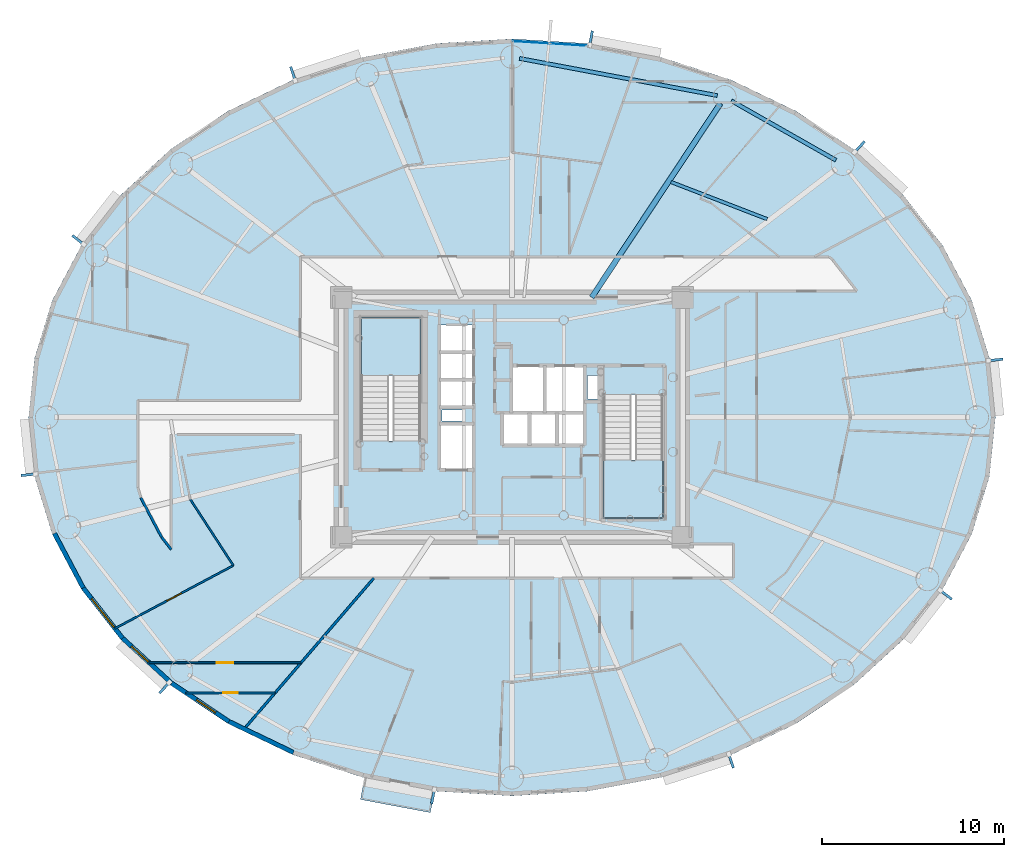
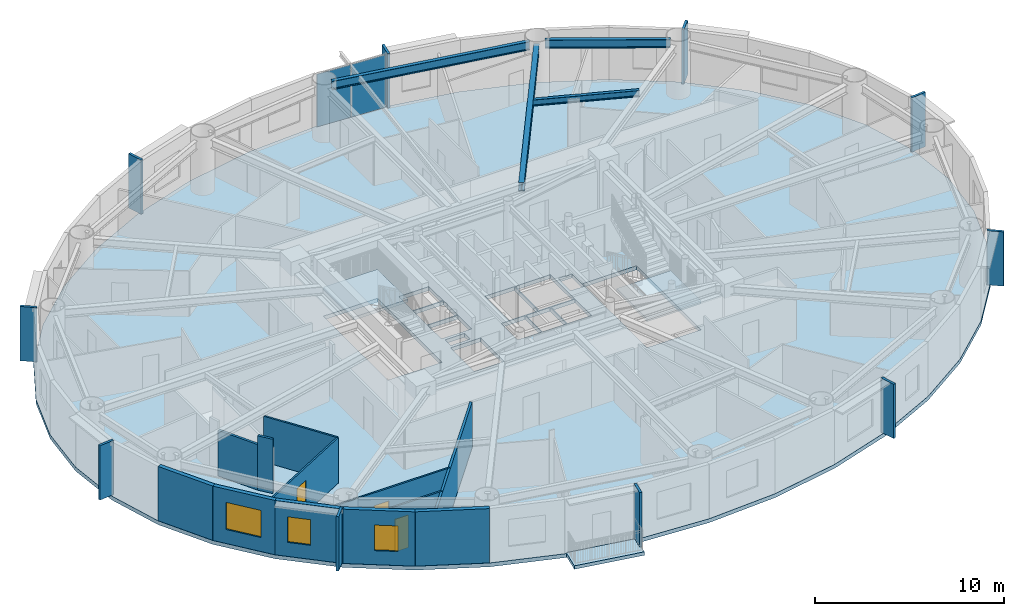
# One storey, part 5 of 17: 12 plates, 12 walls, 4 beams, 4 slabs, 3 doors, 3 windows, 6 openings, 3 elements without a shape of their own.
"""IFC4 building model written with IfcOpenShell, lengths in metres."""

from ifc_helpers import new_model, si_unit, direction, frame, frame_2d, origin, origin_2d, place, context, subcontext, project, spatial, polyline, rectangle, i_section, outline, extrude, source, transform, mapped, material, layer, layer_set, material_profile, profile_set, type_object, element, fill, aggregate, save


model = new_model("IFC4")

# Units and contexts
model_context = context("Model", 3, precision=1e-05, world=origin(), true_north=direction((0.0, 1.0)))
body_context = subcontext(model_context, "Body", "Model", "MODEL_VIEW")
ifc_project = project(units=[si_unit("LENGTHUNIT", "METRE"), si_unit("AREAUNIT", "SQUARE_METRE"), si_unit("VOLUMEUNIT", "CUBIC_METRE"), si_unit("PLANEANGLEUNIT", "RADIAN"), si_unit("MASSUNIT", "GRAM", prefix="KILO")], contexts=[model_context])

# Site, building, storey
site_placement = place(None, origin())
site = spatial("IfcSite", under=ifc_project, at=site_placement, CompositionType="ELEMENT")
building_placement = place(site_placement, origin())
building = spatial("IfcBuilding", under=site, at=building_placement, Name="Linh Dai School and Residence Tower", CompositionType="ELEMENT")
storey_placement = place(building_placement, frame((0.0, 0.0, 182.39990234375)))
storey = spatial("IfcBuildingStorey", under=building, at=storey_placement, Name="L44", CompositionType="ELEMENT", Elevation=182.39990234375)

# Beams
ifc_material_1 = material(Name="Structural Steel S355JR", Category="steel")
ifc_material_profile_1 = material_profile(ifc_material_1, i_section(OverallWidth=0.2099609375, OverallDepth=0.550048828125, WebThickness=0.010986328125, FlangeThickness=0.01708984375, FilletRadius=0.02392578125, at=origin_2d()), Name="IPE 550")
ifc_profile_set_1 = profile_set([ifc_material_profile_1], Name="Structural Steel S355JR")
beam_type_1 = type_object("IfcBeamType", Name="BM-RB55", PredefinedType="BEAM", material=ifc_profile_set_1)
beam_1_placement = place(storey_placement, frame((53.827392578125, 41.1494140625, 3.22509765625), z_axis=(-0.869262164011, 0.49435138335, 0.0), x_axis=(-0.49435138335, -0.869262164011, 0.0)))
element("IfcBeam", 1, at=beam_1_placement, inside=storey, type_object=beam_type_1, Name="L44 Perimeter Elliptical Ring Beam 03", PredefinedType="BEAM", context=body_context, shape_type="SweptSolid", body=[
    extrude(i_section(OverallWidth=0.2099609375, OverallDepth=0.550048828125, WebThickness=0.010986328125, FlangeThickness=0.01708984375, FilletRadius=0.02392578125, at=origin_2d()), origin(), (0.0, 0.0, 1.0), 6.62255859375),
])
beam_2_placement = place(storey_placement, frame((47.292724609375, 44.70849609375, 3.22509765625), z_axis=(-0.98280721278, 0.184634727255, 0.0), x_axis=(-0.184634727255, -0.98280721278, 0.0)))
element("IfcBeam", 2, at=beam_2_placement, inside=storey, type_object=beam_type_1, Name="L44 Perimeter Elliptical Ring Beam 04", PredefinedType="BEAM", context=body_context, shape_type="SweptSolid", body=[
    extrude(i_section(OverallWidth=0.2099609375, OverallDepth=0.550048828125, WebThickness=0.010986328125, FlangeThickness=0.01708984375, FilletRadius=0.02392578125, at=origin_2d()), origin(), (0.0, 0.0, 1.0), 11.0703125),
])
ifc_material_profile_2 = material_profile(ifc_material_1, i_section(OverallWidth=0.300048828125, OverallDepth=0.550048828125, WebThickness=0.014892578125, FlangeThickness=0.029052734375, FilletRadius=0.027099609375, at=origin_2d()), Name="HEB 550")
ifc_profile_set_2 = profile_set([ifc_material_profile_2], Name="Structural Steel S355JR")
beam_type_2 = type_object("IfcBeamType", Name="BM-RG55", PredefinedType="BEAM", material=ifc_profile_set_2)
beam_3_placement = place(storey_placement, frame((40.3818359375, 33.60009765625, 3.22509765625), z_axis=(0.553117176317, 0.833103468522, 0.0), x_axis=(-0.833103468522, 0.553117176317, 0.0)))
element("IfcBeam", 3, at=beam_3_placement, inside=storey, type_object=beam_type_2, Name="L44 Primary Radial Floor Girder 04", PredefinedType="BEAM", context=body_context, shape_type="SweptSolid", body=[
    extrude(i_section(OverallWidth=0.300048828125, OverallDepth=0.550048828125, WebThickness=0.014892578125, FlangeThickness=0.029052734375, FilletRadius=0.027099609375, at=origin_2d()), origin(), (0.0, 0.0, 1.0), 12.820556640625),
])
ifc_material_profile_3 = material_profile(ifc_material_1, i_section(OverallWidth=0.179931640625, OverallDepth=0.39990234375, WebThickness=0.008544921875, FlangeThickness=0.013427734375, FilletRadius=0.02099609375, at=origin_2d()), Name="IPE 400")
ifc_profile_set_3 = profile_set([ifc_material_profile_3], Name="Structural Steel S355JR")
beam_type_3 = type_object("IfcBeamType", Name="BM-SB40", PredefinedType="BEAM", material=ifc_profile_set_3)
beam_4_placement = place(storey_placement, frame((50.047607421875, 37.905029296875, 3.300048828125), z_axis=(-0.932814887644, 0.360355914881, 0.0), x_axis=(-0.360355914881, -0.932814887644, 0.0)))
element("IfcBeam", 4, at=beam_4_placement, inside=storey, type_object=beam_type_3, Name="L44 Secondary Circumferential Floor Beam 02", PredefinedType="BEAM", context=body_context, shape_type="SweptSolid", body=[
    extrude(i_section(OverallWidth=0.179931640625, OverallDepth=0.39990234375, WebThickness=0.008544921875, FlangeThickness=0.013427734375, FilletRadius=0.02099609375, at=origin_2d()), origin(), (0.0, 0.0, 1.0), 5.67822265625),
])

# Slabs
ifc_material_2 = material(Name="Concrete B45 (C35/45)", Category="concrete")
ifc_layer_1 = layer(ifc_material_2, 0.219970703125)
ifc_layer_set_1 = layer_set([ifc_layer_1], Name="Concrete B45 (C35/45)")
slab_type_1 = type_object("IfcSlabType", Name="SLB-BALC-220", PredefinedType="FLOOR", material=ifc_layer_set_1)
slab_1_placement = place(storey_placement, frame((0.0, 0.0, -0.219970703125)))
element("IfcSlab", 5, at=slab_1_placement, inside=storey, type_object=slab_type_1, Name="L44 Sliding Balcony Slab 29", PredefinedType="FLOOR", context=body_context, shape_type="SweptSolid", body=[
    extrude(outline(polyline([(31.74755859375, 6.524658203125), (27.90087890625, 7.248046875), (27.66064453125, 5.97021484375), (31.507568359375, 5.2470703125), (31.74755859375, 6.524658203125)])), origin(), (0.0, 0.0, 1.0), 0.219970703125),
])
ifc_layer_2 = layer(ifc_material_2, 0.25)
ifc_layer_set_2 = layer_set([ifc_layer_2], Name="Concrete B45 (C35/45)")
slab_type_2 = type_object("IfcSlabType", Name="SLB-FLR250", PredefinedType="FLOOR", material=ifc_layer_set_2)
slab_2_placement = place(storey_placement, frame((0.0, 0.0, -0.25)))
element("IfcSlab", 6, at=slab_2_placement, inside=storey, type_object=slab_type_2, Name="L44 Composite Structural Floor Slab", PredefinedType="FLOOR", context=body_context, shape_type="SweptSolid", body=[
    extrude(outline(polyline([(62.60009765625, 27.0), (62.2724609375, 30.258544921875), (61.298095703125, 33.436767578125), (59.70068359375, 36.45654296875), (57.519775390625, 39.24365234375), (54.80908203125, 41.72900390625), (51.635009765625, 43.851806640625), (48.076171875, 45.5595703125), (44.219970703125, 46.810546875), (40.1611328125, 47.573486328125), (36.0, 47.830078125), (31.8388671875, 47.573486328125), (27.780029296875, 46.810546875), (23.923828125, 45.5595703125), (20.364990234375, 43.851806640625), (17.19091796875, 41.72900390625), (14.480224609375, 39.24365234375), (12.29931640625, 36.45654296875), (10.701904296875, 33.436767578125), (9.7275390625, 30.258544921875), (9.39990234375, 27.0), (9.7275390625, 23.741455078125), (10.701904296875, 20.563232421875), (12.29931640625, 17.54345703125), (14.480224609375, 14.75634765625), (17.19091796875, 12.27099609375), (20.364990234375, 10.148193359375), (23.923828125, 8.4404296875), (27.780029296875, 7.189453125), (31.8388671875, 6.426513671875), (36.0, 6.169921875), (40.1611328125, 6.426513671875), (44.219970703125, 7.189453125), (48.076171875, 8.4404296875), (51.635009765625, 10.148193359375), (54.80908203125, 12.27099609375), (57.519775390625, 14.75634765625), (59.70068359375, 17.54345703125), (61.298095703125, 20.563232421875), (62.2724609375, 23.741455078125), (62.60009765625, 27.0)]), holes=[polyline([(30.97998046875, 25.699951171875), (30.97998046875, 32.5), (27.679931640625, 32.5), (27.679931640625, 25.699951171875), (30.97998046875, 25.699951171875)]), polyline([(41.02001953125, 28.25), (41.02001953125, 21.449951171875), (44.320068359375, 21.449951171875), (44.320068359375, 28.25), (41.02001953125, 28.25)]), polyline([(35.97998046875, 27.280029296875), (37.77001953125, 27.280029296875), (37.77001953125, 29.820068359375), (35.97998046875, 29.820068359375), (35.97998046875, 27.280029296875)]), polyline([(32.030029296875, 24.1298828125), (33.8701171875, 24.1298828125), (33.8701171875, 26.6201171875), (32.030029296875, 26.6201171875), (32.030029296875, 24.1298828125)]), polyline([(37.830078125, 27.280029296875), (39.969970703125, 27.280029296875), (39.969970703125, 29.820068359375), (37.830078125, 29.820068359375), (37.830078125, 27.280029296875)]), polyline([(32.030029296875, 27.580078125), (33.8701171875, 27.580078125), (33.8701171875, 29.030029296875), (32.030029296875, 29.030029296875), (32.030029296875, 27.580078125)]), polyline([(32.030029296875, 29.090087890625), (33.8701171875, 29.090087890625), (33.8701171875, 30.550048828125), (32.030029296875, 30.550048828125), (32.030029296875, 29.090087890625)]), polyline([(32.030029296875, 30.610107421875), (33.8701171875, 30.610107421875), (33.8701171875, 32.070068359375), (32.030029296875, 32.070068359375), (32.030029296875, 30.610107421875)]), polyline([(35.47998046875, 25.47998046875), (36.929931640625, 25.47998046875), (36.929931640625, 27.219970703125), (35.47998046875, 27.219970703125), (35.47998046875, 25.47998046875)]), polyline([(36.989990234375, 25.47998046875), (38.449951171875, 25.47998046875), (38.449951171875, 27.219970703125), (36.989990234375, 27.219970703125), (36.989990234375, 25.47998046875)]), polyline([(38.510009765625, 25.47998046875), (39.969970703125, 25.47998046875), (39.969970703125, 27.219970703125), (38.510009765625, 27.219970703125), (38.510009765625, 25.47998046875)]), polyline([(40.14990234375, 28.0), (40.14990234375, 29.300048828125), (41.0, 29.300048828125), (41.0, 28.280029296875), (40.989990234375, 28.280029296875), (40.989990234375, 28.0), (40.14990234375, 28.0)]), polyline([(32.14990234375, 26.800048828125), (33.35009765625, 26.800048828125), (33.35009765625, 27.39990234375), (32.14990234375, 27.39990234375), (32.14990234375, 26.800048828125)])]), origin(), (0.0, 0.0, 1.0), 0.25),
])

# Stair, slab
stair_type = type_object("IfcStairType", Name="ST-DOG-1550-R1442", PredefinedType="HALF_TURN_STAIR", material=ifc_material_2)
stair_1_placement = place(storey_placement, origin())
stair_1 = element("IfcStair", 7, at=stair_1_placement, inside=storey, type_object=stair_type, Name="L44 Core Smokeproof Exit Stair ST1", PredefinedType="HALF_TURN_STAIR")
ifc_layer_3 = layer(ifc_material_2, 0.199951171875)
ifc_layer_set_3 = layer_set([ifc_layer_3], Name="Concrete B45 (C35/45)")
slab_type_3 = type_object("IfcSlabType", Name="SLB-ST-LANDING-200", PredefinedType="LANDING", material=ifc_layer_set_3)
slab_3_placement = place(storey_placement, frame((0.0, 0.0, 1.675048828125)))
slab_3 = element("IfcSlab", 8, at=slab_3_placement, type_object=slab_type_3, Name="ST1 landing 1", PredefinedType="LANDING", context=body_context, shape_type="SweptSolid", body=[
    extrude(outline(polyline([(30.97998046875, 29.300048828125), (30.97998046875, 32.5), (27.679931640625, 32.5), (27.679931640625, 29.300048828125), (30.97998046875, 29.300048828125)])), origin(), (0.0, 0.0, 1.0), 0.199951171875),
])
aggregate(stair_1, [slab_3])

stair_2_placement = place(storey_placement, origin())
stair_2 = element("IfcStair", 9, at=stair_2_placement, inside=storey, type_object=stair_type, Name="L44 Core Smokeproof Exit Stair ST2", PredefinedType="HALF_TURN_STAIR")
slab_4_placement = place(storey_placement, frame((0.0, 0.0, 1.675048828125)))
slab_4 = element("IfcSlab", 10, at=slab_4_placement, type_object=slab_type_3, Name="ST2 landing 1", PredefinedType="LANDING", context=body_context, shape_type="SweptSolid", body=[
    extrude(outline(polyline([(41.02001953125, 24.64990234375), (41.02001953125, 21.449951171875), (44.320068359375, 21.449951171875), (44.320068359375, 24.64990234375), (41.02001953125, 24.64990234375)])), origin(), (0.0, 0.0, 1.0), 0.199951171875),
])
aggregate(stair_2, [slab_4])

# Plates
ifc_material_3 = material(Name="Precast Concrete B45 (C35/45)", Category="concrete")
ifc_layer_4 = layer(ifc_material_3, 0.139892578125)
ifc_layer_set_4 = layer_set([ifc_layer_4], Name="Precast Concrete B45 (C35/45)")
plate_type_1 = type_object("IfcPlateType", Name="FIN-TC-900x140", PredefinedType="USERDEFINED", material=ifc_layer_set_4)
shared_shape_1 = source(origin(), body_context, "Body", "SweptSolid", [
    extrude(rectangle(XDim=0.89990234375, YDim=0.139892578125, at=origin_2d()), origin(), (0.0, 0.0, 1.0), 3.5),
])
for number, where, z_axis, x_axis, name in (
    (11, (62.56982421875, 30.1552734375, 0.0), (0.0, 0.0, 1.0), (0.994987256586, 0.100001796141, 0.0), "L44 Precast Terracotta Radial Fin 01"),
    (12, (55.097412109375, 41.851806640625, 0.0), (0.0, 0.0, 1.0), (0.67580001435, 0.737085029426, 0.0), "L44 Precast Terracotta Radial Fin 05"),
    (13, (40.33935546875, 47.830322265625, 0.0), (0.0, 0.0, 1.0), (0.184762540184, 0.982783192645, 0.0), "L44 Precast Terracotta Radial Fin 09"),
    (14, (23.957763671875, 45.87060546875, 0.0), (0.0, 0.0, 1.0), (-0.308535707031, 0.951212761419, 0.0), "L44 Precast Terracotta Radial Fin 13"),
    (15, (12.155029296875, 36.735595703125, 0.0), (0.0, 0.0, 1.0), (-0.787522158319, 0.616286337798, 0.0), "L44 Precast Terracotta Radial Fin 17"),
    (16, (9.43017578125, 23.8447265625, 0.0), (0.0, 0.0, 1.0), (-0.994987256586, -0.100001796141, 0.0), "L44 Precast Terracotta Radial Fin 21"),
    (17, (16.902587890625, 12.148193359375, 0.0), (0.0, 0.0, 1.0), (-0.67580001435, -0.737085029426, 0.0), "L44 Precast Terracotta Radial Fin 25"),
    (18, (31.66064453125, 6.169677734375, 0.0), (0.0, 0.0, 1.0), (-0.184762540184, -0.982783192645, 0.0), "L44 Precast Terracotta Radial Fin 29"),
    (19, (48.042236328125, 8.12939453125, 0.0), (0.0, 0.0, 1.0), (0.308535707031, -0.951212761419, 0.0), "L44 Precast Terracotta Radial Fin 33"),
    (20, (59.844970703125, 17.264404296875, 0.0), (0.0, 0.0, 1.0), (0.787522158319, -0.616286337798, 0.0), "L44 Precast Terracotta Radial Fin 37"),
):
    element("IfcPlate", number, at=place(storey_placement, frame(where, z_axis=z_axis, x_axis=x_axis)), inside=storey, type_object=plate_type_1, Name=name, ObjectType="RADIAL FIN", PredefinedType="USERDEFINED", context=body_context, shape_type="MappedRepresentation", body=[
        mapped(shared_shape_1, transform((0.0, 0.0, 0.0), x_axis=(1.0, 0.0, 0.0), y_axis=(0.0, 1.0, 0.0), z_axis=(0.0, 0.0, 1.0), scale=1.0)),
    ])

# Curtain wall, plates
ifc_material_4 = material(Name="Aluminium Anodised Curtain Wall", Category="aluminium")
ifc_layer_5 = layer(ifc_material_4, 0.14990234375)
ifc_layer_set_5 = layer_set([ifc_layer_5], Name="Aluminium Anodised Curtain Wall")
curtain_wall_type = type_object("IfcCurtainWallType", Name="CW-SYS-4", PredefinedType="USERDEFINED", material=ifc_layer_set_5)
curtain_wall_placement = place(storey_placement, origin())
curtain_wall = element("IfcCurtainWall", 21, at=curtain_wall_placement, inside=storey, type_object=curtain_wall_type, Name="L44 CW4 Curtain Wall 10", ObjectType="RIBBON CURTAIN WALL", PredefinedType="USERDEFINED")
ifc_material_5 = material(Name="Double Low-E Insulated Glazing", Category="glass")
ifc_layer_6 = layer(ifc_material_5, 0.02587890625)
ifc_layer_set_6 = layer_set([ifc_layer_6], Name="Double Low-E Insulated Glazing")
plate_type_2 = type_object("IfcPlateType", Name="CW-SYS-4-PAN", PredefinedType="CURTAIN_PANEL", material=ifc_layer_set_6)
shared_shape_2 = source(origin(), body_context, "Body", "SweptSolid", [
    extrude(rectangle(XDim=1.998779296875, YDim=0.02587890625, at=origin_2d()), origin(), (0.0, 0.0, 1.0), 3.39599609375),
])
plate_1_placement = place(storey_placement, frame((37.04931640625, 47.640380859375, 0.052001953125), z_axis=(0.0, 0.0, 1.0), x_axis=(0.99810632076, -0.061512376467, 0.0)))
plate_1 = element("IfcPlate", 22, at=plate_1_placement, type_object=plate_type_2, Name="CW4 panel 1.1", PredefinedType="CURTAIN_PANEL", context=body_context, shape_type="MappedRepresentation", body=[
    mapped(shared_shape_2, transform((0.0, 0.0, 0.0), x_axis=(1.0, 0.0, 0.0), y_axis=(0.0, 1.0, 0.0), z_axis=(0.0, 0.0, 1.0), scale=1.0)),
])
plate_2_placement = place(storey_placement, frame((39.096435546875, 47.51416015625, 0.052001953125), z_axis=(0.0, 0.0, 1.0), x_axis=(0.99810632076, -0.061512376467, 0.0)))
plate_2 = element("IfcPlate", 23, at=plate_2_placement, type_object=plate_type_2, Name="CW4 panel 2.1", PredefinedType="CURTAIN_PANEL", context=body_context, shape_type="MappedRepresentation", body=[
    mapped(shared_shape_2, transform((0.0, 0.0, 0.0), x_axis=(1.0, 0.0, 0.0), y_axis=(0.0, 1.0, 0.0), z_axis=(0.0, 0.0, 1.0), scale=1.0)),
])
aggregate(curtain_wall, [plate_1, plate_2])

# Wall
ifc_layer_7 = layer(ifc_material_3, 0.239990234375)
ifc_layer_set_7 = layer_set([ifc_layer_7], Name="Precast Concrete B45 (C35/45)")
wall_type_1 = type_object("IfcWallType", Name="EW-TC-240", PredefinedType="SOLIDWALL", material=ifc_layer_set_7)
wall_1_placement = place(storey_placement, frame((12.404052734375, 17.611572265625, 0.0), z_axis=(0.0, 0.0, 1.0), x_axis=(-0.467586874938, 0.88394712194, 0.0)))
element("IfcWall", 24, at=wall_1_placement, inside=storey, type_object=wall_type_1, Name="L44 Terracotta Exterior Wall 23", PredefinedType="SOLIDWALL", context=body_context, shape_type="SweptSolid", body=[
    extrude(rectangle(XDim=3.393310546875, YDim=0.239990234375, at=frame_2d((1.69677734375, 0.0))), origin(), (0.0, 0.0, 1.0), 3.5),
])

# Wall, opening, window
wall_2_placement = place(storey_placement, frame((14.57177734375, 14.841552734375, 0.0), z_axis=(0.0, 0.0, 1.0), x_axis=(-0.616287674549, 0.787521112224, 0.0)))
wall_2 = element("IfcWall", 25, at=wall_2_placement, inside=storey, type_object=wall_type_1, Name="L44 Terracotta Exterior Wall 24", PredefinedType="SOLIDWALL", context=body_context, shape_type="SweptSolid", body=[
    extrude(rectangle(XDim=3.517333984375, YDim=0.239990234375, at=frame_2d((1.7587890625, 0.0))), origin(), (0.0, 0.0, 1.0), 3.5),
])
opening_1_placement = place(wall_2_placement, frame((0.77880859375, 0.0, 0.89990234375)))
opening_1 = element("IfcOpeningElement", 26, at=opening_1_placement, cuts=wall_2, Name="Opening W1", PredefinedType="OPENING", context=body_context, shape_type="SweptSolid", body=[
    extrude(rectangle(XDim=2.0, YDim=1.75, at=origin_2d()), frame((1.0, 0.1298828125, 0.875), z_axis=(0.0, -1.0, 0.0), x_axis=(1.0, 0.0, 0.0)), (0.0, 0.0, 1.0), 0.260009765625),
])
window_type_1 = type_object("IfcWindowType", Name="WN-RES-2000x1750", PartitioningType="DOUBLE_PANEL_VERTICAL", PredefinedType="WINDOW", material=ifc_material_5)
shared_shape_3 = source(origin(), body_context, "Body", "SweptSolid", [
    extrude(rectangle(XDim=2.0, YDim=1.75, at=origin_2d()), frame((1.0, 0.030029296875, 0.875), z_axis=(0.0, -1.0, 0.0), x_axis=(1.0, 0.0, 0.0)), (0.0, 0.0, 1.0), 0.06005859375),
])
window_1_placement = place(opening_1_placement, origin())
window_1 = element("IfcWindow", 27, at=window_1_placement, inside=storey, type_object=window_type_1, Name="L44 Exterior Window 24.1", OverallHeight=1.75, OverallWidth=2.0, PartitioningType="DOUBLE_PANEL_VERTICAL", PredefinedType="WINDOW", context=body_context, shape_type="MappedRepresentation", body=[
    mapped(shared_shape_3, transform((0.0, 0.0, 0.0), x_axis=(1.0, 0.0, 0.0), y_axis=(0.0, 1.0, 0.0), z_axis=(0.0, 0.0, 1.0), scale=1.0)),
])
fill(opening_1, window_1)

wall_3_placement = place(storey_placement, frame((17.26806640625, 12.369384765625, 0.0), z_axis=(0.0, 0.0, 1.0), x_axis=(-0.737076565834, 0.675809245349, 0.0)))
wall_3 = element("IfcWall", 28, at=wall_3_placement, inside=storey, type_object=wall_type_1, Name="L44 Terracotta Exterior Wall 25", PredefinedType="SOLIDWALL", context=body_context, shape_type="SweptSolid", body=[
    extrude(rectangle(XDim=3.658203125, YDim=0.239990234375, at=frame_2d((1.8291015625, 0.0))), origin(), (0.0, 0.0, 1.0), 3.5),
])
opening_2_placement = place(wall_3_placement, frame((1.74609375, 0.0, 0.89990234375)))
opening_2 = element("IfcOpeningElement", 29, at=opening_2_placement, cuts=wall_3, Name="Opening W3", PredefinedType="OPENING", context=body_context, shape_type="SweptSolid", body=[
    extrude(rectangle(XDim=1.25, YDim=1.64990234375, at=origin_2d()), frame((0.625, 0.1298828125, 0.824951171875), z_axis=(0.0, -1.0, 0.0), x_axis=(1.0, 0.0, 0.0)), (0.0, 0.0, 1.0), 0.260009765625),
])
window_type_2 = type_object("IfcWindowType", Name="WN-RES-1250x1650", PartitioningType="SINGLE_PANEL", PredefinedType="WINDOW", material=ifc_material_5)
shared_shape_4 = source(origin(), body_context, "Body", "SweptSolid", [
    extrude(rectangle(XDim=1.25, YDim=1.64990234375, at=origin_2d()), frame((0.625, 0.030029296875, 0.824951171875), z_axis=(0.0, -1.0, 0.0), x_axis=(1.0, 0.0, 0.0)), (0.0, 0.0, 1.0), 0.06005859375),
])
window_2_placement = place(opening_2_placement, origin())
window_2 = element("IfcWindow", 30, at=window_2_placement, inside=storey, type_object=window_type_2, Name="L44 Dwelling Window U4404-LIV", OverallHeight=1.64990234375, OverallWidth=1.25, PartitioningType="SINGLE_PANEL", PredefinedType="WINDOW", context=body_context, shape_type="MappedRepresentation", body=[
    mapped(shared_shape_4, transform((0.0, 0.0, 0.0), x_axis=(1.0, 0.0, 0.0), y_axis=(0.0, 1.0, 0.0), z_axis=(0.0, 0.0, 1.0), scale=1.0)),
])
fill(opening_2, window_2)

wall_4_placement = place(storey_placement, frame((20.4267578125, 10.2568359375, 0.0), z_axis=(0.0, 0.0, 1.0), x_axis=(-0.831228998277, 0.555930168657, 0.0)))
wall_4 = element("IfcWall", 31, at=wall_4_placement, inside=storey, type_object=wall_type_1, Name="L44 Terracotta Exterior Wall 26", PredefinedType="SOLIDWALL", context=body_context, shape_type="SweptSolid", body=[
    extrude(rectangle(XDim=3.800048828125, YDim=0.239990234375, at=frame_2d((1.89990234375, 0.0))), origin(), (0.0, 0.0, 1.0), 3.5),
])
opening_3_placement = place(wall_4_placement, frame((0.896240234375, 0.0, 0.89990234375)))
opening_3 = element("IfcOpeningElement", 32, at=opening_3_placement, cuts=wall_4, Name="Opening W3", PredefinedType="OPENING", context=body_context, shape_type="SweptSolid", body=[
    extrude(rectangle(XDim=1.25, YDim=1.64990234375, at=origin_2d()), frame((0.625, 0.1298828125, 0.824951171875), z_axis=(0.0, -1.0, 0.0), x_axis=(1.0, 0.0, 0.0)), (0.0, 0.0, 1.0), 0.260009765625),
])
window_3_placement = place(opening_3_placement, origin())
window_3 = element("IfcWindow", 33, at=window_3_placement, inside=storey, type_object=window_type_2, Name="L44 Exterior Window 26.1", OverallHeight=1.64990234375, OverallWidth=1.25, PartitioningType="SINGLE_PANEL", PredefinedType="WINDOW", context=body_context, shape_type="MappedRepresentation", body=[
    mapped(shared_shape_4, transform((0.0, 0.0, 0.0), x_axis=(1.0, 0.0, 0.0), y_axis=(0.0, 1.0, 0.0), z_axis=(0.0, 0.0, 1.0), scale=1.0)),
])
fill(opening_3, window_3)

# Walls
wall_5_placement = place(storey_placement, frame((23.97021484375, 8.556396484375, 0.0), z_axis=(0.0, 0.0, 1.0), x_axis=(-0.901564733809, 0.432644231155, 0.0)))
element("IfcWall", 34, at=wall_5_placement, inside=storey, type_object=wall_type_1, Name="L44 Terracotta Exterior Wall 27", PredefinedType="SOLIDWALL", context=body_context, shape_type="SweptSolid", body=[
    extrude(rectangle(XDim=3.930419921875, YDim=0.239990234375, at=frame_2d((1.96533203125, 0.0))), origin(), (0.0, 0.0, 1.0), 3.5),
])
ifc_material_6 = material(Name="Autoclaved Aerated Concrete Blockwork", Category="masonry")
ifc_layer_8 = layer(ifc_material_6, 0.135009765625)
ifc_layer_set_8 = layer_set([ifc_layer_8], Name="Autoclaved Aerated Concrete Blockwork")
wall_type_2 = type_object("IfcWallType", Name="IW-CORR-135-EI90", PredefinedType="PARTITIONING", material=ifc_layer_set_8)
wall_6_placement = place(storey_placement, frame((15.57421875, 22.577880859375, 0.0), z_axis=(0.0, 0.0, 1.0), x_axis=(0.46757196543, -0.883955008552, 0.0)))
element("IfcWall", 35, at=wall_6_placement, inside=storey, type_object=wall_type_2, Name="L44 Interior Partition Wall 010", PredefinedType="PARTITIONING", context=body_context, shape_type="SweptSolid", body=[
    extrude(rectangle(XDim=2.451416015625, YDim=0.135009765625, at=frame_2d((1.2255859375, 0.0))), origin(), (0.0, 0.0, 1.0), 2.93505859375),
])
wall_7_placement = place(storey_placement, frame((16.720458984375, 20.410888671875, 0.0), z_axis=(0.0, 0.0, 1.0), x_axis=(0.616377221056, -0.787451027914, 0.0)))
element("IfcWall", 36, at=wall_7_placement, inside=storey, type_object=wall_type_2, Name="L44 Interior Partition Wall 012", PredefinedType="PARTITIONING", context=body_context, shape_type="SweptSolid", body=[
    extrude(rectangle(XDim=0.859130859375, YDim=0.135009765625, at=frame_2d((0.4296875, 0.0))), origin(), (0.0, 0.0, 1.0), 3.5),
])
wall_8_placement = place(storey_placement, frame((21.2587890625, 9.85205078125, 0.0), z_axis=(0.0, 0.0, 1.0), x_axis=(0.651889454341, 0.758314011026, 0.0)))
element("IfcWall", 37, at=wall_8_placement, inside=storey, type_object=wall_type_2, Name="L44 Interior Partition Wall 018", PredefinedType="PARTITIONING", context=body_context, shape_type="SweptSolid", body=[
    extrude(rectangle(XDim=10.9423828125, YDim=0.135009765625, at=frame_2d((5.47119140625, 0.0))), origin(), (0.0, 0.0, 1.0), 2.93505859375),
])

# Wall, opening, door
ifc_material_7 = material(Name="Gypsum Plasterboard Acoustic Stud Partition", Category="masonry")
ifc_layer_9 = layer(ifc_material_7, 0.10009765625)
ifc_layer_set_9 = layer_set([ifc_layer_9], Name="Gypsum Plasterboard Acoustic Stud Partition")
wall_type_3 = type_object("IfcWallType", Name="IW-UNIT-100", PredefinedType="PARTITIONING", material=ifc_layer_set_9)
wall_9_placement = place(storey_placement, frame((14.14453125, 15.379150390625, 0.0), z_axis=(0.0, 0.0, 1.0), x_axis=(0.882946160832, 0.469474256027, 0.0)))
wall_9 = element("IfcWall", 38, at=wall_9_placement, inside=storey, type_object=wall_type_3, Name="L44 Interior Partition Wall 004", PredefinedType="PARTITIONING", context=body_context, shape_type="SweptSolid", body=[
    extrude(rectangle(XDim=7.385009765625, YDim=0.10009765625, at=frame_2d((3.6923828125, 0.0))), origin(), (0.0, 0.0, 1.0), 2.93505859375),
])
opening_4_placement = place(wall_9_placement, frame((3.242431640625, 0.0, 0.0)))
opening_4 = element("IfcOpeningElement", 39, at=opening_4_placement, cuts=wall_9, Name="Opening D05", PredefinedType="OPENING", context=body_context, shape_type="SweptSolid", body=[
    extrude(rectangle(XDim=0.89990234375, YDim=2.10009765625, at=origin_2d()), frame((0.449951171875, 0.06005859375, 1.050048828125), z_axis=(0.0, -1.0, 0.0), x_axis=(1.0, 0.0, 0.0)), (0.0, 0.0, 1.0), 0.1201171875),
])
ifc_material_8 = material(Name="Engineered Timber Internal Door", Category="wood")
door_type_1 = type_object("IfcDoorType", Name="DR-INT-900x2100", OperationType="NOTDEFINED", PredefinedType="DOOR", material=ifc_material_8)
shared_shape_5 = source(origin(), body_context, "Body", "SweptSolid", [
    extrude(rectangle(XDim=0.89990234375, YDim=2.10009765625, at=origin_2d()), frame((0.449951171875, 0.02490234375, 1.050048828125), z_axis=(0.0, -1.0, 0.0), x_axis=(1.0, 0.0, 0.0)), (0.0, 0.0, 1.0), 0.050048828125),
])
door_1_placement = place(opening_4_placement, origin())
door_1 = element("IfcDoor", 40, at=door_1_placement, inside=storey, type_object=door_type_1, Name="L44 Apartment U4404 Principal Bedroom 1 Door", OperationType="SINGLE_SWING_LEFT", OverallHeight=2.10009765625, OverallWidth=0.89990234375, PredefinedType="DOOR", context=body_context, shape_type="MappedRepresentation", body=[
    mapped(shared_shape_5, transform((0.0, 0.0, 0.0), x_axis=(1.0, 0.0, 0.0), y_axis=(0.0, 1.0, 0.0), z_axis=(0.0, 0.0, 1.0), scale=1.0)),
])
fill(opening_4, door_1)

wall_10_placement = place(storey_placement, frame((16.036865234375, 13.491455078125, 0.0), z_axis=(0.0, 0.0, 1.0), x_axis=(1.0, 0.0, 0.0)))
wall_10 = element("IfcWall", 41, at=wall_10_placement, inside=storey, type_object=wall_type_3, Name="L44 Interior Partition Wall 011", PredefinedType="PARTITIONING", context=body_context, shape_type="SweptSolid", body=[
    extrude(rectangle(XDim=8.350341796875, YDim=0.10009765625, at=frame_2d((4.17529296875, 0.0))), origin(), (0.0, 0.0, 1.0), 2.93505859375),
])
opening_5_placement = place(wall_10_placement, frame((3.725341796875, 0.0, 0.0)))
opening_5 = element("IfcOpeningElement", 42, at=opening_5_placement, cuts=wall_10, Name="Opening D05", PredefinedType="OPENING", context=body_context, shape_type="SweptSolid", body=[
    extrude(rectangle(XDim=0.89990234375, YDim=2.10009765625, at=origin_2d()), frame((0.449951171875, 0.06005859375, 1.050048828125), z_axis=(0.0, -1.0, 0.0), x_axis=(1.0, 0.0, 0.0)), (0.0, 0.0, 1.0), 0.1201171875),
])
door_2_placement = place(opening_5_placement, origin())
door_2 = element("IfcDoor", 43, at=door_2_placement, inside=storey, type_object=door_type_1, Name="L44 Apartment U4404 Kitchen Door", OperationType="SINGLE_SWING_RIGHT", OverallHeight=2.10009765625, OverallWidth=0.89990234375, PredefinedType="DOOR", context=body_context, shape_type="MappedRepresentation", body=[
    mapped(shared_shape_5, transform((0.0, 0.0, 0.0), x_axis=(1.0, 0.0, 0.0), y_axis=(0.0, 1.0, 0.0), z_axis=(0.0, 0.0, 1.0), scale=1.0)),
])
fill(opening_5, door_2)

wall_11_placement = place(storey_placement, frame((18.05712890625, 11.835693359375, 0.0), z_axis=(0.0, 0.0, 1.0), x_axis=(1.0, 0.0, 0.0)))
wall_11 = element("IfcWall", 44, at=wall_11_placement, inside=storey, type_object=wall_type_3, Name="L44 Interior Partition Wall 016", PredefinedType="PARTITIONING", context=body_context, shape_type="SweptSolid", body=[
    extrude(rectangle(XDim=4.90673828125, YDim=0.10009765625, at=frame_2d((2.453369140625, 0.0))), origin(), (0.0, 0.0, 1.0), 2.93505859375),
])
opening_6_placement = place(wall_11_placement, frame((2.043212890625, 0.0, 0.0)))
opening_6 = element("IfcOpeningElement", 45, at=opening_6_placement, cuts=wall_11, Name="Opening D06", PredefinedType="OPENING", context=body_context, shape_type="SweptSolid", body=[
    extrude(rectangle(XDim=0.820068359375, YDim=2.10009765625, at=origin_2d()), frame((0.41015625, 0.06005859375, 1.050048828125), z_axis=(0.0, -1.0, 0.0), x_axis=(1.0, 0.0, 0.0)), (0.0, 0.0, 1.0), 0.1201171875),
])
ifc_material_9 = material(Name="Moisture-Resistant Timber Bathroom Door", Category="wood")
door_type_2 = type_object("IfcDoorType", Name="DR-WET-820x2100", OperationType="NOTDEFINED", PredefinedType="DOOR", material=ifc_material_9)
shared_shape_6 = source(origin(), body_context, "Body", "SweptSolid", [
    extrude(rectangle(XDim=0.820068359375, YDim=2.10009765625, at=origin_2d()), frame((0.41015625, 0.02490234375, 1.050048828125), z_axis=(0.0, -1.0, 0.0), x_axis=(1.0, 0.0, 0.0)), (0.0, 0.0, 1.0), 0.050048828125),
])
door_3_placement = place(opening_6_placement, origin())
door_3 = element("IfcDoor", 46, at=door_3_placement, inside=storey, type_object=door_type_2, Name="L44 Apartment U4404 Bathroom 1 Door", OperationType="SINGLE_SWING_LEFT", OverallHeight=2.10009765625, OverallWidth=0.820068359375, PredefinedType="DOOR", context=body_context, shape_type="MappedRepresentation", body=[
    mapped(shared_shape_6, transform((0.0, 0.0, 0.0), x_axis=(1.0, 0.0, 0.0), y_axis=(0.0, 1.0, 0.0), z_axis=(0.0, 0.0, 1.0), scale=1.0)),
])
fill(opening_6, door_3)

# Wall
wall_12_placement = place(storey_placement, frame((18.291259765625, 22.494140625, 0.0), z_axis=(0.0, 0.0, 1.0), x_axis=(0.545410225271, -0.838169246734, 0.0)))
element("IfcWall", 47, at=wall_12_placement, inside=storey, type_object=wall_type_3, Name="L44 Interior Partition Wall 017", PredefinedType="PARTITIONING", context=body_context, shape_type="SweptSolid", body=[
    extrude(rectangle(XDim=4.352294921875, YDim=0.10009765625, at=frame_2d((2.17626953125, 0.0))), origin(), (0.0, 0.0, 1.0), 2.93505859375),
])

save(model, "model.ifc")
